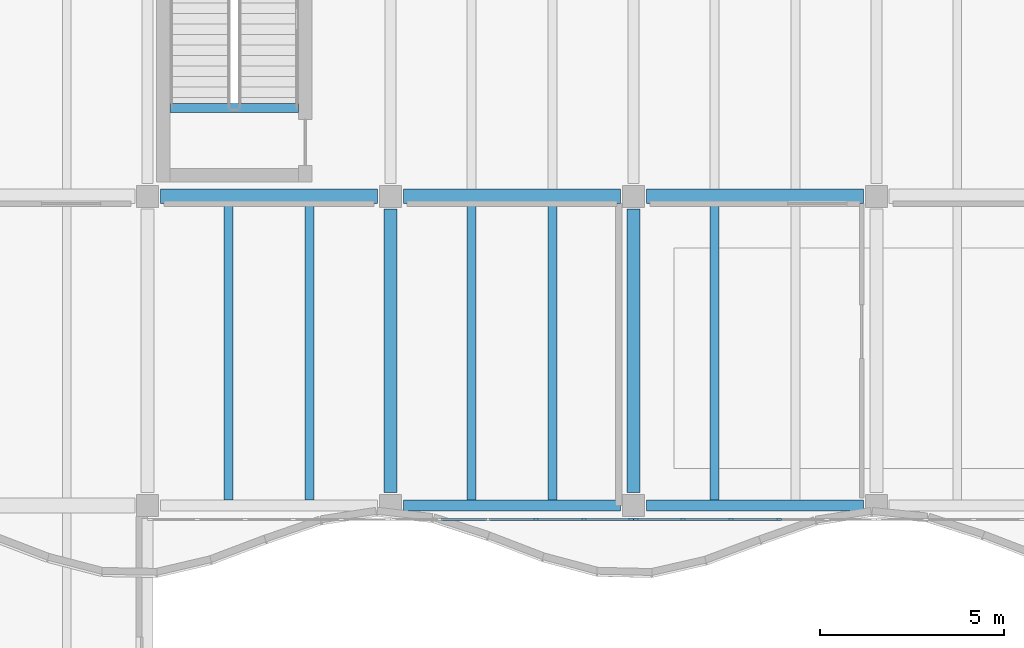
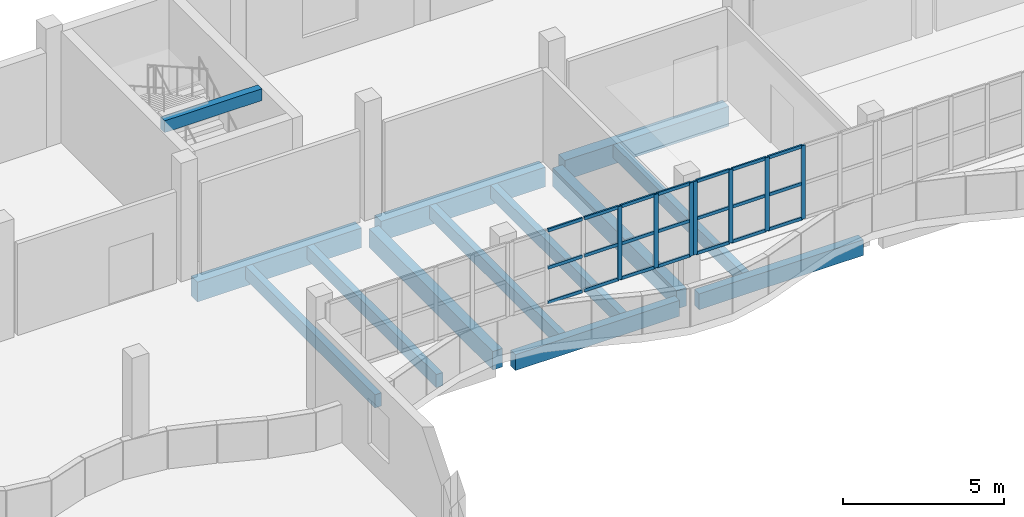
# One storey, part 9 of 76: 28 members, 13 beams, 2 elements without a shape of their own.
"""IFC4 building model written with IfcOpenShell, lengths in metres."""

from ifc_helpers import new_model, si_unit, direction, frame, origin, origin_2d, place, context, subcontext, project, spatial, rectangle, extrude, material, material_profile, profile_set, type_object, element, aggregate, save


model = new_model("IFC4")

# Units and contexts
model_context = context("Model", 3, precision=1e-05, world=origin(), true_north=direction((0.0, 1.0)))
body_context = subcontext(model_context, "Body", "Model", "MODEL_VIEW")
ifc_project = project(units=[si_unit("LENGTHUNIT", "METRE"), si_unit("AREAUNIT", "SQUARE_METRE"), si_unit("VOLUMEUNIT", "CUBIC_METRE"), si_unit("PLANEANGLEUNIT", "RADIAN"), si_unit("MASSUNIT", "GRAM", prefix="KILO")], contexts=[model_context])

# Site, building, storey
site_placement = place(None, origin())
site = spatial("IfcSite", under=ifc_project, at=site_placement, CompositionType="ELEMENT")
building_placement = place(site_placement, origin())
building = spatial("IfcBuilding", under=site, at=building_placement, Name="Qaldarim Faculty of Natural and Applied Sciences", CompositionType="ELEMENT")
storey_placement = place(building_placement, frame((0.0, 0.0, 9.89990234375)))
storey = spatial("IfcBuildingStorey", under=building, at=storey_placement, Name="L02", CompositionType="ELEMENT", Elevation=9.89990234375)

# Beams
ifc_material_1 = material(Name="Concrete C40/50", Category="concrete")
ifc_material_profile_1 = material_profile(ifc_material_1, rectangle(XDim=0.239990234375, YDim=0.5, at=origin_2d()), Name="RC-J240x500")
ifc_profile_set_1 = profile_set([ifc_material_profile_1], Name="Concrete C40/50")
beam_type_1 = type_object("IfcBeamType", Name="HeavyJoist-RC240x500", PredefinedType="JOIST", material=ifc_profile_set_1)
for number, where, z_axis, x_axis, name in (
    (1, (48.39990234375, 100.949951171875, -0.5498046875), (0.0, 1.0, 0.0), (-1.0, 0.0, 0.0), "Laboratory joist L01 bay X08Y13-1"),
    (2, (50.60009765625, 100.949951171875, -0.5498046875), (0.0, 1.0, 0.0), (-1.0, 0.0, 0.0), "Laboratory joist L01 bay X08Y13-2"),
    (3, (55.0, 100.949951171875, -0.5498046875), (0.0, 1.0, 0.0), (-1.0, 0.0, 0.0), "Laboratory joist L01 bay X09Y13-1"),
    (4, (57.199951171875, 100.949951171875, -0.5498046875), (0.0, 1.0, 0.0), (-1.0, 0.0, 0.0), "Laboratory joist L01 bay X09Y13-2"),
    (5, (61.60009765625, 100.949951171875, -0.5498046875), (0.0, 1.0, 0.0), (-1.0, 0.0, 0.0), "Laboratory joist L01 bay X10Y13-1"),
):
    element("IfcBeam", number, at=place(storey_placement, frame(where, z_axis=z_axis, x_axis=x_axis)), inside=storey, type_object=beam_type_1, Name=name, PredefinedType="JOIST", context=body_context, shape_type="SweptSolid", body=[
        extrude(rectangle(XDim=0.239990234375, YDim=0.5, at=origin_2d()), origin(), (0.0, 0.0, 1.0), 8.050048828125),
    ])
ifc_material_2 = material(Name="Concrete C50/60", Category="concrete")
ifc_material_profile_2 = material_profile(ifc_material_2, rectangle(XDim=0.39990234375, YDim=0.75, at=origin_2d()), Name="RC-B400x750")
ifc_profile_set_2 = profile_set([ifc_material_profile_2], Name="Concrete C50/60")
beam_type_2 = type_object("IfcBeamType", Name="LabGirder-RC400x750", PredefinedType="BEAM", material=ifc_profile_set_2)
beam_1_placement = place(storey_placement, frame((46.550048828125, 109.199951171875, -0.6748046875), z_axis=(1.0, 0.0, 0.0), x_axis=(0.0, 1.0, 0.0)))
element("IfcBeam", 6, at=beam_1_placement, inside=storey, type_object=beam_type_2, Name="Beam RC-B400x750 L01 X08-X09/Y14", PredefinedType="BEAM", context=body_context, shape_type="SweptSolid", body=[
    extrude(rectangle(XDim=0.39990234375, YDim=0.75, at=origin_2d()), origin(), (0.0, 0.0, 1.0), 5.89990234375),
])
beam_2_placement = place(storey_placement, frame((53.14990234375, 109.199951171875, -0.6748046875), z_axis=(1.0, 0.0, 0.0), x_axis=(0.0, 1.0, 0.0)))
element("IfcBeam", 7, at=beam_2_placement, inside=storey, type_object=beam_type_2, Name="Beam RC-B400x750 L01 X09-X10/Y14", PredefinedType="BEAM", context=body_context, shape_type="SweptSolid", body=[
    extrude(rectangle(XDim=0.39990234375, YDim=0.75, at=origin_2d()), origin(), (0.0, 0.0, 1.0), 5.900146484375),
])
beam_3_placement = place(storey_placement, frame((59.75, 109.199951171875, -0.6748046875), z_axis=(1.0, 0.0, 0.0), x_axis=(0.0, 1.0, 0.0)))
element("IfcBeam", 8, at=beam_3_placement, inside=storey, type_object=beam_type_2, Name="Beam RC-B400x750 L01 X10-X11/Y14", PredefinedType="BEAM", context=body_context, shape_type="SweptSolid", body=[
    extrude(rectangle(XDim=0.39990234375, YDim=0.75, at=origin_2d()), origin(), (0.0, 0.0, 1.0), 5.89990234375),
])
ifc_material_profile_3 = material_profile(ifc_material_1, rectangle(XDim=0.25, YDim=0.449951171875, at=origin_2d()), Name="RC-LN250x450")
ifc_profile_set_3 = profile_set([ifc_material_profile_3], Name="Concrete C40/50")
beam_type_3 = type_object("IfcBeamType", Name="LandingSupportBeam-RC250x450", PredefinedType="BEAM", material=ifc_profile_set_3)
beam_4_placement = place(storey_placement, frame((46.800048828125, 111.60009765625, 4.01513671875), z_axis=(1.0, 0.0, 0.0), x_axis=(0.0, 1.0, 0.0)))
element("IfcBeam", 9, at=beam_4_placement, inside=storey, type_object=beam_type_3, Name="Stair arrival support beam ST-B2 L02", PredefinedType="BEAM", context=body_context, shape_type="SweptSolid", body=[
    extrude(rectangle(XDim=0.25, YDim=0.449951171875, at=origin_2d()), origin(), (0.0, 0.0, 1.0), 3.5),
])

# Curtain wall, members
ifc_material_3 = material(Name="Anodised aluminium AW-6063", Category="aluminium")
curtain_wall_type = type_object("IfcCurtainWallType", Name="CurtainWallSystem-M1400", PredefinedType="USERDEFINED", material=ifc_material_3)
curtain_wall_1_placement = place(storey_placement, origin())
curtain_wall_1 = element("IfcCurtainWall", 10, at=curtain_wall_1_placement, inside=storey, type_object=curtain_wall_type, Name="Curtain wall CW-V4RIB-L02-X09", ObjectType="STICK CURTAIN WALL", PredefinedType="USERDEFINED")
ifc_material_profile_4 = material_profile(ifc_material_3, rectangle(XDim=0.06005859375, YDim=0.14990234375, at=origin_2d()), Name="ALU-M60x150")
ifc_profile_set_4 = profile_set([ifc_material_profile_4], Name="Anodised aluminium AW-6063")
member_type_1 = type_object("IfcMemberType", Name="Mullion-ALU60x150", PredefinedType="MULLION", material=ifc_profile_set_4)
member_1_placement = place(storey_placement, frame((56.751953125, 100.419921875, 1.4501953125), z_axis=(0.0, 0.0, 1.0), x_axis=(0.0, 1.0, 0.0)))
member_1 = element("IfcMember", 11, at=member_1_placement, type_object=member_type_1, Name="Mullion 4 of CW-V4RIB-L02-X09", PredefinedType="MULLION", context=body_context, shape_type="SweptSolid", body=[
    extrude(rectangle(XDim=0.06005859375, YDim=0.14990234375, at=origin_2d()), origin(), (0.0, 0.0, 1.0), 2.789794921875),
])
member_2_placement = place(storey_placement, frame((58.055908203125, 100.419921875, 1.4501953125), z_axis=(0.0, 0.0, 1.0), x_axis=(0.0, 1.0, 0.0)))
member_2 = element("IfcMember", 12, at=member_2_placement, type_object=member_type_1, Name="Mullion 5 of CW-V4RIB-L02-X09", PredefinedType="MULLION", context=body_context, shape_type="SweptSolid", body=[
    extrude(rectangle(XDim=0.06005859375, YDim=0.14990234375, at=origin_2d()), origin(), (0.0, 0.0, 1.0), 2.789794921875),
])
member_3_placement = place(storey_placement, frame((59.330078125, 100.419921875, 1.4501953125), z_axis=(0.0, 0.0, 1.0), x_axis=(0.0, 1.0, 0.0)))
member_3 = element("IfcMember", 13, at=member_3_placement, type_object=member_type_1, Name="Mullion 6 of CW-V4RIB-L02-X09", PredefinedType="MULLION", context=body_context, shape_type="SweptSolid", body=[
    extrude(rectangle(XDim=0.06005859375, YDim=0.14990234375, at=origin_2d()), origin(), (0.0, 0.0, 1.0), 2.789794921875),
])

curtain_wall_2_placement = place(storey_placement, origin())
curtain_wall_2 = element("IfcCurtainWall", 14, at=curtain_wall_2_placement, inside=storey, type_object=curtain_wall_type, Name="Curtain wall CW-V4RIB-L02-X10", ObjectType="STICK CURTAIN WALL", PredefinedType="USERDEFINED")
member_4_placement = place(storey_placement, frame((59.469970703125, 100.419921875, 1.4501953125), z_axis=(0.0, 0.0, 1.0), x_axis=(0.0, 1.0, 0.0)))
member_4 = element("IfcMember", 15, at=member_4_placement, type_object=member_type_1, Name="Mullion 1 of CW-V4RIB-L02-X10", PredefinedType="MULLION", context=body_context, shape_type="SweptSolid", body=[
    extrude(rectangle(XDim=0.06005859375, YDim=0.14990234375, at=origin_2d()), origin(), (0.0, 0.0, 1.0), 2.789794921875),
])
member_5_placement = place(storey_placement, frame((60.743896484375, 100.419921875, 1.4501953125), z_axis=(0.0, 0.0, 1.0), x_axis=(0.0, 1.0, 0.0)))
member_5 = element("IfcMember", 16, at=member_5_placement, type_object=member_type_1, Name="Mullion 2 of CW-V4RIB-L02-X10", PredefinedType="MULLION", context=body_context, shape_type="SweptSolid", body=[
    extrude(rectangle(XDim=0.06005859375, YDim=0.14990234375, at=origin_2d()), origin(), (0.0, 0.0, 1.0), 2.789794921875),
])
member_6_placement = place(storey_placement, frame((62.048095703125, 100.419921875, 1.4501953125), z_axis=(0.0, 0.0, 1.0), x_axis=(0.0, 1.0, 0.0)))
member_6 = element("IfcMember", 17, at=member_6_placement, type_object=member_type_1, Name="Mullion 3 of CW-V4RIB-L02-X10", PredefinedType="MULLION", context=body_context, shape_type="SweptSolid", body=[
    extrude(rectangle(XDim=0.06005859375, YDim=0.14990234375, at=origin_2d()), origin(), (0.0, 0.0, 1.0), 2.789794921875),
])
member_7_placement = place(storey_placement, frame((63.35205078125, 100.419921875, 1.4501953125), z_axis=(0.0, 0.0, 1.0), x_axis=(0.0, 1.0, 0.0)))
member_7 = element("IfcMember", 18, at=member_7_placement, type_object=member_type_1, Name="Mullion 4 of CW-V4RIB-L02-X10", PredefinedType="MULLION", context=body_context, shape_type="SweptSolid", body=[
    extrude(rectangle(XDim=0.06005859375, YDim=0.14990234375, at=origin_2d()), origin(), (0.0, 0.0, 1.0), 2.789794921875),
])

# Beams
ifc_material_profile_5 = material_profile(ifc_material_1, rectangle(XDim=0.35009765625, YDim=0.699951171875, at=origin_2d()), Name="RC-B350x700")
ifc_profile_set_5 = profile_set([ifc_material_profile_5], Name="Concrete C40/50")
beam_type_4 = type_object("IfcBeamType", Name="PrimaryGirder-RC350x700", PredefinedType="BEAM", material=ifc_profile_set_5)
for number, where, z_axis, x_axis, name in (
    (19, (52.800048828125, 101.14990234375, -0.64990234375), (0.0, 1.0, 0.0), (-1.0, 0.0, 0.0), "Beam RC-B350x700 L01 X09/Y13-Y14"),
    (20, (59.39990234375, 101.14990234375, -0.64990234375), (0.0, 1.0, 0.0), (-1.0, 0.0, 0.0), "Beam RC-B350x700 L01 X10/Y13-Y14"),
):
    element("IfcBeam", number, at=place(storey_placement, frame(where, z_axis=z_axis, x_axis=x_axis)), inside=storey, type_object=beam_type_4, Name=name, PredefinedType="BEAM", context=body_context, shape_type="SweptSolid", body=[
        extrude(rectangle(XDim=0.35009765625, YDim=0.699951171875, at=origin_2d()), origin(), (0.0, 0.0, 1.0), 7.7001953125),
    ])
ifc_material_4 = material(Name="Precast concrete C40/50", Category="concrete")
ifc_material_profile_6 = material_profile(ifc_material_4, rectangle(XDim=0.300048828125, YDim=0.60009765625, at=origin_2d()), Name="RC-SP300x600")
ifc_profile_set_6 = profile_set([ifc_material_profile_6], Name="Precast concrete C40/50")
beam_type_5 = type_object("IfcBeamType", Name="SpandrelBeam-RC300x600", PredefinedType="SPANDREL", material=ifc_profile_set_6)
beam_5_placement = place(storey_placement, frame((53.14990234375, 100.800048828125, -0.599853515625), z_axis=(1.0, 0.0, 0.0), x_axis=(0.0, 1.0, 0.0)))
element("IfcBeam", 21, at=beam_5_placement, inside=storey, type_object=beam_type_5, Name="Beam RC-SP300x600 L01 X09-X10/Y13", PredefinedType="SPANDREL", context=body_context, shape_type="SweptSolid", body=[
    extrude(rectangle(XDim=0.300048828125, YDim=0.60009765625, at=origin_2d()), origin(), (0.0, 0.0, 1.0), 5.900146484375),
])
beam_6_placement = place(storey_placement, frame((59.75, 100.800048828125, -0.599853515625), z_axis=(1.0, 0.0, 0.0), x_axis=(0.0, 1.0, 0.0)))
element("IfcBeam", 22, at=beam_6_placement, inside=storey, type_object=beam_type_5, Name="Beam RC-SP300x600 L01 X10-X11/Y13", PredefinedType="SPANDREL", context=body_context, shape_type="SweptSolid", body=[
    extrude(rectangle(XDim=0.300048828125, YDim=0.60009765625, at=origin_2d()), origin(), (0.0, 0.0, 1.0), 5.89990234375),
])

# Member
ifc_material_profile_7 = material_profile(ifc_material_3, rectangle(XDim=0.06005859375, YDim=0.1201171875, at=origin_2d()), Name="ALU-T60x120")
ifc_profile_set_7 = profile_set([ifc_material_profile_7], Name="Anodised aluminium AW-6063")
member_type_2 = type_object("IfcMemberType", Name="Transom-ALU60x120", PredefinedType="USERDEFINED", material=ifc_profile_set_7)
member_8_placement = place(storey_placement, frame((54.174072265625, 100.419921875, 1.47998046875), z_axis=(1.0, 0.0, 0.0), x_axis=(0.0, 1.0, 0.0)))
member_8 = element("IfcMember", 23, at=member_8_placement, type_object=member_type_2, Name="Transom 2-1 of CW-V4RIB-L02-X09", ObjectType="TRANSOM", PredefinedType="USERDEFINED", context=body_context, shape_type="SweptSolid", body=[
    extrude(rectangle(XDim=0.06005859375, YDim=0.1201171875, at=origin_2d()), origin(), (0.0, 0.0, 1.0), 1.243896484375),
])

member_9_placement = place(storey_placement, frame((54.174072265625, 100.419921875, 2.800048828125), z_axis=(1.0, 0.0, 0.0), x_axis=(0.0, 1.0, 0.0)))
member_9 = element("IfcMember", 24, at=member_9_placement, type_object=member_type_2, Name="Transom 2-2 of CW-V4RIB-L02-X09", ObjectType="TRANSOM", PredefinedType="USERDEFINED", context=body_context, shape_type="SweptSolid", body=[
    extrude(rectangle(XDim=0.06005859375, YDim=0.1201171875, at=origin_2d()), origin(), (0.0, 0.0, 1.0), 1.243896484375),
])

member_10_placement = place(storey_placement, frame((54.174072265625, 100.419921875, 4.210205078125), z_axis=(1.0, 0.0, 0.0), x_axis=(0.0, 1.0, 0.0)))
member_10 = element("IfcMember", 25, at=member_10_placement, type_object=member_type_2, Name="Transom 2-3 of CW-V4RIB-L02-X09", ObjectType="TRANSOM", PredefinedType="USERDEFINED", context=body_context, shape_type="SweptSolid", body=[
    extrude(rectangle(XDim=0.06005859375, YDim=0.1201171875, at=origin_2d()), origin(), (0.0, 0.0, 1.0), 1.243896484375),
])

member_11_placement = place(storey_placement, frame((55.47802734375, 100.419921875, 1.47998046875), z_axis=(1.0, 0.0, 0.0), x_axis=(0.0, 1.0, 0.0)))
member_11 = element("IfcMember", 26, at=member_11_placement, type_object=member_type_2, Name="Transom 3-1 of CW-V4RIB-L02-X09", ObjectType="TRANSOM", PredefinedType="USERDEFINED", context=body_context, shape_type="SweptSolid", body=[
    extrude(rectangle(XDim=0.06005859375, YDim=0.1201171875, at=origin_2d()), origin(), (0.0, 0.0, 1.0), 1.243896484375),
])

member_12_placement = place(storey_placement, frame((55.47802734375, 100.419921875, 2.800048828125), z_axis=(1.0, 0.0, 0.0), x_axis=(0.0, 1.0, 0.0)))
member_12 = element("IfcMember", 27, at=member_12_placement, type_object=member_type_2, Name="Transom 3-2 of CW-V4RIB-L02-X09", ObjectType="TRANSOM", PredefinedType="USERDEFINED", context=body_context, shape_type="SweptSolid", body=[
    extrude(rectangle(XDim=0.06005859375, YDim=0.1201171875, at=origin_2d()), origin(), (0.0, 0.0, 1.0), 1.243896484375),
])

member_13_placement = place(storey_placement, frame((55.47802734375, 100.419921875, 4.210205078125), z_axis=(1.0, 0.0, 0.0), x_axis=(0.0, 1.0, 0.0)))
member_13 = element("IfcMember", 28, at=member_13_placement, type_object=member_type_2, Name="Transom 3-3 of CW-V4RIB-L02-X09", ObjectType="TRANSOM", PredefinedType="USERDEFINED", context=body_context, shape_type="SweptSolid", body=[
    extrude(rectangle(XDim=0.06005859375, YDim=0.1201171875, at=origin_2d()), origin(), (0.0, 0.0, 1.0), 1.243896484375),
])

member_14_placement = place(storey_placement, frame((56.781982421875, 100.419921875, 1.47998046875), z_axis=(1.0, 0.0, 0.0), x_axis=(0.0, 1.0, 0.0)))
member_14 = element("IfcMember", 29, at=member_14_placement, type_object=member_type_2, Name="Transom 4-1 of CW-V4RIB-L02-X09", ObjectType="TRANSOM", PredefinedType="USERDEFINED", context=body_context, shape_type="SweptSolid", body=[
    extrude(rectangle(XDim=0.06005859375, YDim=0.1201171875, at=origin_2d()), origin(), (0.0, 0.0, 1.0), 1.243896484375),
])

member_15_placement = place(storey_placement, frame((56.781982421875, 100.419921875, 2.800048828125), z_axis=(1.0, 0.0, 0.0), x_axis=(0.0, 1.0, 0.0)))
member_15 = element("IfcMember", 30, at=member_15_placement, type_object=member_type_2, Name="Transom 4-2 of CW-V4RIB-L02-X09", ObjectType="TRANSOM", PredefinedType="USERDEFINED", context=body_context, shape_type="SweptSolid", body=[
    extrude(rectangle(XDim=0.06005859375, YDim=0.1201171875, at=origin_2d()), origin(), (0.0, 0.0, 1.0), 1.243896484375),
])

member_16_placement = place(storey_placement, frame((56.781982421875, 100.419921875, 4.210205078125), z_axis=(1.0, 0.0, 0.0), x_axis=(0.0, 1.0, 0.0)))
member_16 = element("IfcMember", 31, at=member_16_placement, type_object=member_type_2, Name="Transom 4-3 of CW-V4RIB-L02-X09", ObjectType="TRANSOM", PredefinedType="USERDEFINED", context=body_context, shape_type="SweptSolid", body=[
    extrude(rectangle(XDim=0.06005859375, YDim=0.1201171875, at=origin_2d()), origin(), (0.0, 0.0, 1.0), 1.243896484375),
])

member_17_placement = place(storey_placement, frame((58.0859375, 100.419921875, 1.47998046875), z_axis=(1.0, 0.0, 0.0), x_axis=(0.0, 1.0, 0.0)))
member_17 = element("IfcMember", 32, at=member_17_placement, type_object=member_type_2, Name="Transom 5-1 of CW-V4RIB-L02-X09", ObjectType="TRANSOM", PredefinedType="USERDEFINED", context=body_context, shape_type="SweptSolid", body=[
    extrude(rectangle(XDim=0.06005859375, YDim=0.1201171875, at=origin_2d()), origin(), (0.0, 0.0, 1.0), 1.214111328125),
])

member_18_placement = place(storey_placement, frame((58.0859375, 100.419921875, 2.800048828125), z_axis=(1.0, 0.0, 0.0), x_axis=(0.0, 1.0, 0.0)))
member_18 = element("IfcMember", 33, at=member_18_placement, type_object=member_type_2, Name="Transom 5-2 of CW-V4RIB-L02-X09", ObjectType="TRANSOM", PredefinedType="USERDEFINED", context=body_context, shape_type="SweptSolid", body=[
    extrude(rectangle(XDim=0.06005859375, YDim=0.1201171875, at=origin_2d()), origin(), (0.0, 0.0, 1.0), 1.214111328125),
])

member_19_placement = place(storey_placement, frame((58.0859375, 100.419921875, 4.210205078125), z_axis=(1.0, 0.0, 0.0), x_axis=(0.0, 1.0, 0.0)))
member_19 = element("IfcMember", 34, at=member_19_placement, type_object=member_type_2, Name="Transom 5-3 of CW-V4RIB-L02-X09", ObjectType="TRANSOM", PredefinedType="USERDEFINED", context=body_context, shape_type="SweptSolid", body=[
    extrude(rectangle(XDim=0.06005859375, YDim=0.1201171875, at=origin_2d()), origin(), (0.0, 0.0, 1.0), 1.214111328125),
])

aggregate(curtain_wall_1, [member_1, member_2, member_3, member_8, member_9, member_10, member_11, member_12, member_13, member_14, member_15, member_16, member_17, member_18, member_19])

member_20_placement = place(storey_placement, frame((59.5, 100.419921875, 1.47998046875), z_axis=(1.0, 0.0, 0.0), x_axis=(0.0, 1.0, 0.0)))
member_20 = element("IfcMember", 35, at=member_20_placement, type_object=member_type_2, Name="Transom 1-1 of CW-V4RIB-L02-X10", ObjectType="TRANSOM", PredefinedType="USERDEFINED", context=body_context, shape_type="SweptSolid", body=[
    extrude(rectangle(XDim=0.06005859375, YDim=0.1201171875, at=origin_2d()), origin(), (0.0, 0.0, 1.0), 1.214111328125),
])

member_21_placement = place(storey_placement, frame((59.5, 100.419921875, 2.800048828125), z_axis=(1.0, 0.0, 0.0), x_axis=(0.0, 1.0, 0.0)))
member_21 = element("IfcMember", 36, at=member_21_placement, type_object=member_type_2, Name="Transom 1-2 of CW-V4RIB-L02-X10", ObjectType="TRANSOM", PredefinedType="USERDEFINED", context=body_context, shape_type="SweptSolid", body=[
    extrude(rectangle(XDim=0.06005859375, YDim=0.1201171875, at=origin_2d()), origin(), (0.0, 0.0, 1.0), 1.214111328125),
])

member_22_placement = place(storey_placement, frame((59.5, 100.419921875, 4.210205078125), z_axis=(1.0, 0.0, 0.0), x_axis=(0.0, 1.0, 0.0)))
member_22 = element("IfcMember", 37, at=member_22_placement, type_object=member_type_2, Name="Transom 1-3 of CW-V4RIB-L02-X10", ObjectType="TRANSOM", PredefinedType="USERDEFINED", context=body_context, shape_type="SweptSolid", body=[
    extrude(rectangle(XDim=0.06005859375, YDim=0.1201171875, at=origin_2d()), origin(), (0.0, 0.0, 1.0), 1.214111328125),
])

member_23_placement = place(storey_placement, frame((60.77392578125, 100.419921875, 1.47998046875), z_axis=(1.0, 0.0, 0.0), x_axis=(0.0, 1.0, 0.0)))
member_23 = element("IfcMember", 38, at=member_23_placement, type_object=member_type_2, Name="Transom 2-1 of CW-V4RIB-L02-X10", ObjectType="TRANSOM", PredefinedType="USERDEFINED", context=body_context, shape_type="SweptSolid", body=[
    extrude(rectangle(XDim=0.06005859375, YDim=0.1201171875, at=origin_2d()), origin(), (0.0, 0.0, 1.0), 1.244140625),
])

member_24_placement = place(storey_placement, frame((60.77392578125, 100.419921875, 2.800048828125), z_axis=(1.0, 0.0, 0.0), x_axis=(0.0, 1.0, 0.0)))
member_24 = element("IfcMember", 39, at=member_24_placement, type_object=member_type_2, Name="Transom 2-2 of CW-V4RIB-L02-X10", ObjectType="TRANSOM", PredefinedType="USERDEFINED", context=body_context, shape_type="SweptSolid", body=[
    extrude(rectangle(XDim=0.06005859375, YDim=0.1201171875, at=origin_2d()), origin(), (0.0, 0.0, 1.0), 1.244140625),
])

member_25_placement = place(storey_placement, frame((60.77392578125, 100.419921875, 4.210205078125), z_axis=(1.0, 0.0, 0.0), x_axis=(0.0, 1.0, 0.0)))
member_25 = element("IfcMember", 40, at=member_25_placement, type_object=member_type_2, Name="Transom 2-3 of CW-V4RIB-L02-X10", ObjectType="TRANSOM", PredefinedType="USERDEFINED", context=body_context, shape_type="SweptSolid", body=[
    extrude(rectangle(XDim=0.06005859375, YDim=0.1201171875, at=origin_2d()), origin(), (0.0, 0.0, 1.0), 1.244140625),
])

member_26_placement = place(storey_placement, frame((62.077880859375, 100.419921875, 1.47998046875), z_axis=(1.0, 0.0, 0.0), x_axis=(0.0, 1.0, 0.0)))
member_26 = element("IfcMember", 41, at=member_26_placement, type_object=member_type_2, Name="Transom 3-1 of CW-V4RIB-L02-X10", ObjectType="TRANSOM", PredefinedType="USERDEFINED", context=body_context, shape_type="SweptSolid", body=[
    extrude(rectangle(XDim=0.06005859375, YDim=0.1201171875, at=origin_2d()), origin(), (0.0, 0.0, 1.0), 1.244140625),
])

member_27_placement = place(storey_placement, frame((62.077880859375, 100.419921875, 2.800048828125), z_axis=(1.0, 0.0, 0.0), x_axis=(0.0, 1.0, 0.0)))
member_27 = element("IfcMember", 42, at=member_27_placement, type_object=member_type_2, Name="Transom 3-2 of CW-V4RIB-L02-X10", ObjectType="TRANSOM", PredefinedType="USERDEFINED", context=body_context, shape_type="SweptSolid", body=[
    extrude(rectangle(XDim=0.06005859375, YDim=0.1201171875, at=origin_2d()), origin(), (0.0, 0.0, 1.0), 1.244140625),
])

member_28_placement = place(storey_placement, frame((62.077880859375, 100.419921875, 4.210205078125), z_axis=(1.0, 0.0, 0.0), x_axis=(0.0, 1.0, 0.0)))
member_28 = element("IfcMember", 43, at=member_28_placement, type_object=member_type_2, Name="Transom 3-3 of CW-V4RIB-L02-X10", ObjectType="TRANSOM", PredefinedType="USERDEFINED", context=body_context, shape_type="SweptSolid", body=[
    extrude(rectangle(XDim=0.06005859375, YDim=0.1201171875, at=origin_2d()), origin(), (0.0, 0.0, 1.0), 1.244140625),
])

aggregate(curtain_wall_2, [member_4, member_5, member_6, member_7, member_20, member_21, member_22, member_23, member_24, member_25, member_26, member_27, member_28])

save(model, "model.ifc")
